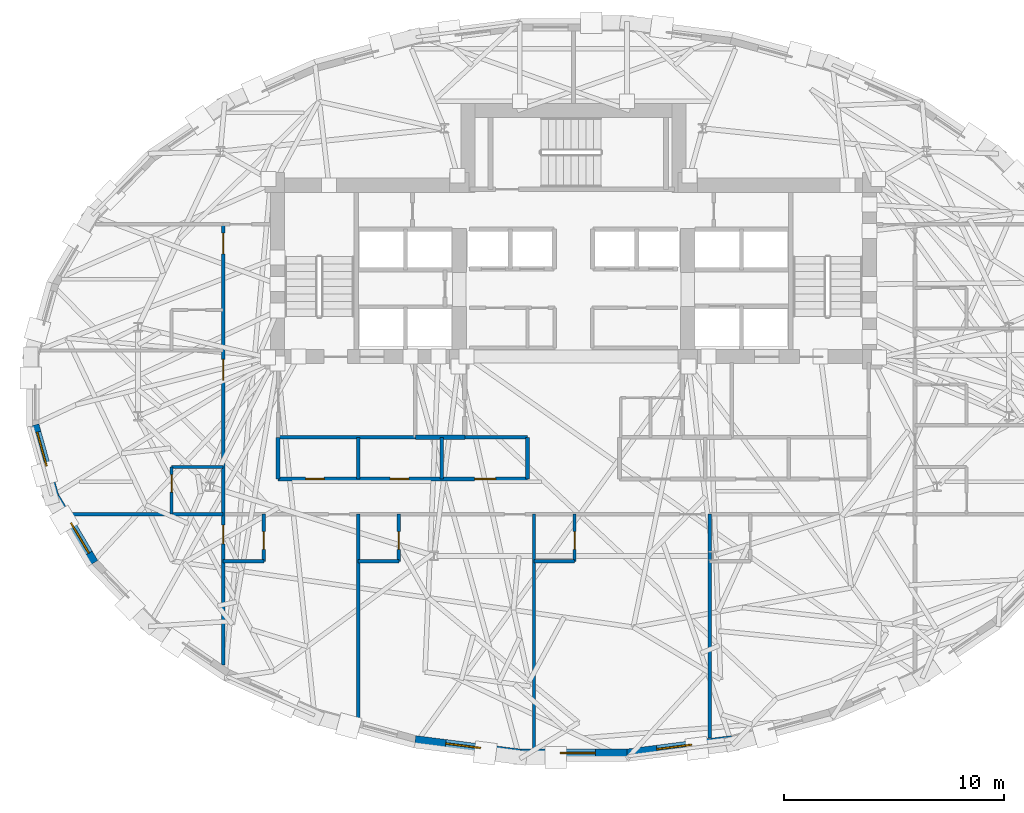
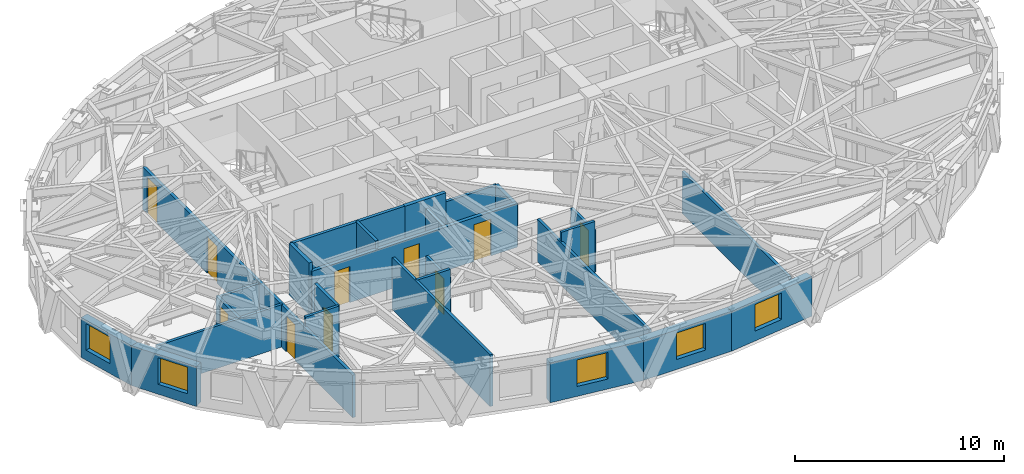
# One storey, part 6 of 15: 26 walls, 10 doors, 5 windows, 15 openings.
"""IFC4 building model written with IfcOpenShell, lengths in metres."""

from ifc_helpers import new_model, si_unit, direction, frame, frame_2d, origin, place, context, subcontext, project, spatial, rectangle, extrude, material, layer, layer_set, type_object, element, fill, save


model = new_model("IFC4")

# Units and contexts
model_context = context("Model", 3, precision=1e-05, world=origin(), true_north=direction((0.0, 1.0)))
body_context = subcontext(model_context, "Body", "Model", "MODEL_VIEW")
ifc_project = project(units=[si_unit("LENGTHUNIT", "METRE"), si_unit("AREAUNIT", "SQUARE_METRE"), si_unit("VOLUMEUNIT", "CUBIC_METRE"), si_unit("PLANEANGLEUNIT", "RADIAN"), si_unit("MASSUNIT", "GRAM", prefix="KILO")], contexts=[model_context])

# Site, building, storey
site_placement = place(None, origin())
site = spatial("IfcSite", under=ifc_project, at=site_placement, CompositionType="ELEMENT")
building_placement = place(site_placement, origin())
building = spatial("IfcBuilding", under=site, at=building_placement, Name="Keldmark Tower", CompositionType="ELEMENT")
storey_placement = place(building_placement, frame((0.0, 0.0, 166.199951171875)))
storey = spatial("IfcBuildingStorey", under=building, at=storey_placement, Name="L45", CompositionType="ELEMENT", Elevation=166.199951171875)

# Wall, openings, doors
ifc_material_1 = material(Name="Heavy Acoustic Plumbing Chase Gypsum Assembly", Category="gypsum")
ifc_layer_1 = layer(ifc_material_1, 0.18994140625)
ifc_layer_set_1 = layer_set([ifc_layer_1], Name="Heavy Acoustic Plumbing Chase Gypsum Assembly")
wall_type_1 = type_object("IfcWallType", Name="Heavy Wet Wall 190 mm", PredefinedType="PLUMBINGWALL", material=ifc_layer_set_1)
wall_1_placement = place(storey_placement, frame((-13.449951171875, -4.050048828125, 0.0), z_axis=(0.0, 0.0, 1.0), x_axis=(1.0, 0.0, 0.0)))
wall_1 = element("IfcWall", 1, at=wall_1_placement, inside=storey, type_object=wall_type_1, Name="L45 Heavy Wet Wall 190 mm SPK-W-S", PredefinedType="PLUMBINGWALL", context=body_context, shape_type="SweptSolid", body=[
    extrude(rectangle(XDim=11.349853515625, YDim=0.18994140625, at=frame_2d((5.6748046875, 0.0))), origin(), (0.0, 0.0, 1.0), 2.554931640625),
])
opening_1_placement = place(wall_1_placement, frame((1.25, 0.0, 0.0)))
opening_1 = element("IfcOpeningElement", 2, at=opening_1_placement, cuts=wall_1, Name="Opening D-WC085", PredefinedType="OPENING", context=body_context, shape_type="SweptSolid", body=[
    extrude(rectangle(XDim=0.85009765625, YDim=2.10009765625, at=frame_2d((0.425048828125, 1.050048828125))), frame((0.0, 0.10498046875, 0.0), z_axis=(0.0, -1.0, 0.0), x_axis=(1.0, 0.0, 0.0)), (0.0, 0.0, 1.0), 0.2099609375),
])
opening_2_placement = place(wall_1_placement, frame((5.10009765625, 0.0, 0.0)))
opening_2 = element("IfcOpeningElement", 3, at=opening_2_placement, cuts=wall_1, Name="Opening D-WC085", PredefinedType="OPENING", context=body_context, shape_type="SweptSolid", body=[
    extrude(rectangle(XDim=0.85009765625, YDim=2.10009765625, at=frame_2d((0.425048828125, 1.050048828125))), frame((0.0, 0.10498046875, 0.0), z_axis=(0.0, -1.0, 0.0), x_axis=(1.0, 0.0, 0.0)), (0.0, 0.0, 1.0), 0.2099609375),
])
opening_3_placement = place(wall_1_placement, frame((8.949951171875, 0.0, 0.0)))
opening_3 = element("IfcOpeningElement", 4, at=opening_3_placement, cuts=wall_1, Name="Opening D-AWC95", PredefinedType="OPENING", context=body_context, shape_type="SweptSolid", body=[
    extrude(rectangle(XDim=0.949951171875, YDim=2.14990234375, at=frame_2d((0.47509765625, 1.074951171875))), frame((0.0, 0.10498046875, 0.0), z_axis=(0.0, -1.0, 0.0), x_axis=(1.0, 0.0, 0.0)), (0.0, 0.0, 1.0), 0.2099609375),
])
ifc_material_2 = material(Name="Painted Solid-Core Architectural Wood", Category="wood")
door_type_1 = type_object("IfcDoorType", Name="Accessible WC Door 950x2150", OperationType="NOTDEFINED", PredefinedType="DOOR", material=ifc_material_2)
door_1_placement = place(opening_3_placement, origin())
door_1 = element("IfcDoor", 5, at=door_1_placement, inside=storey, type_object=door_type_1, Name="L45 Accessible WC Door 950x2150 D-SPKW3-L45", OperationType="SINGLE_SWING_LEFT", OverallHeight=2.14990234375, OverallWidth=0.949951171875, PredefinedType="DOOR", context=body_context, shape_type="SweptSolid", body=[
    extrude(rectangle(XDim=0.949951171875, YDim=2.14990234375, at=frame_2d((0.47509765625, 1.074951171875))), frame((0.0, 0.02490234375, 0.0), z_axis=(0.0, -1.0, 0.0), x_axis=(1.0, 0.0, 0.0)), (0.0, 0.0, 1.0), 0.050048828125),
])
fill(opening_3, door_1)
ifc_material_3 = material(Name="Moisture-Sealed Painted Wood", Category="wood")
door_type_2 = type_object("IfcDoorType", Name="WC Door 850x2100", OperationType="NOTDEFINED", PredefinedType="DOOR", material=ifc_material_3)
door_2_placement = place(opening_1_placement, origin())
door_2 = element("IfcDoor", 6, at=door_2_placement, inside=storey, type_object=door_type_2, Name="L45 WC Door 850x2100 D-SPKW1-L45", OperationType="SINGLE_SWING_LEFT", OverallHeight=2.10009765625, OverallWidth=0.85009765625, PredefinedType="DOOR", context=body_context, shape_type="SweptSolid", body=[
    extrude(rectangle(XDim=0.85009765625, YDim=2.10009765625, at=frame_2d((0.425048828125, 1.050048828125))), frame((0.0, 0.02490234375, 0.0), z_axis=(0.0, -1.0, 0.0), x_axis=(1.0, 0.0, 0.0)), (0.0, 0.0, 1.0), 0.050048828125),
])
fill(opening_1, door_2)
door_3_placement = place(opening_2_placement, origin())
door_3 = element("IfcDoor", 7, at=door_3_placement, inside=storey, type_object=door_type_2, Name="L45 WC Door 850x2100 D-SPKW2-L45", OperationType="SINGLE_SWING_RIGHT", OverallHeight=2.10009765625, OverallWidth=0.85009765625, PredefinedType="DOOR", context=body_context, shape_type="SweptSolid", body=[
    extrude(rectangle(XDim=0.85009765625, YDim=2.10009765625, at=frame_2d((0.425048828125, 1.050048828125))), frame((0.0, 0.02490234375, 0.0), z_axis=(0.0, -1.0, 0.0), x_axis=(1.0, 0.0, 0.0)), (0.0, 0.0, 1.0), 0.050048828125),
])
fill(opening_2, door_3)

# Walls
wall_2_placement = place(storey_placement, frame((-13.449951171875, -4.050048828125, 0.0), z_axis=(0.0, 0.0, 1.0), x_axis=(0.0, 1.0, 0.0)))
element("IfcWall", 8, at=wall_2_placement, inside=storey, type_object=wall_type_1, Name="L45 Heavy Wet Wall 190 mm SPK-W-W", PredefinedType="PLUMBINGWALL", context=body_context, shape_type="SweptSolid", body=[
    extrude(rectangle(XDim=1.900146484375, YDim=0.18994140625, at=frame_2d((0.9501953125, 0.0))), origin(), (0.0, 0.0, 1.0), 3.02001953125),
])
wall_3_placement = place(storey_placement, frame((-2.10009765625, -4.050048828125, 0.0), z_axis=(0.0, 0.0, 1.0), x_axis=(0.0, 1.0, 0.0)))
element("IfcWall", 9, at=wall_3_placement, inside=storey, type_object=wall_type_1, Name="L45 Heavy Wet Wall 190 mm SPK-W-E", PredefinedType="PLUMBINGWALL", context=body_context, shape_type="SweptSolid", body=[
    extrude(rectangle(XDim=1.900146484375, YDim=0.18994140625, at=frame_2d((0.9501953125, 0.0))), origin(), (0.0, 0.0, 1.0), 2.47314453125),
])
ifc_material_4 = material(Name="Type X Fire-Rated Gypsum Partition Assembly", Category="gypsum")
ifc_layer_2 = layer(ifc_material_4, 0.1650390625)
ifc_layer_set_2 = layer_set([ifc_layer_2], Name="Type X Fire-Rated Gypsum Partition Assembly")
wall_type_2 = type_object("IfcWallType", Name="Rated Partition 165 mm", PredefinedType="PARTITIONING", material=ifc_layer_set_2)
wall_4_placement = place(storey_placement, frame((-13.449951171875, -2.14990234375, 0.0), z_axis=(0.0, 0.0, 1.0), x_axis=(1.0, 0.0, 0.0)))
element("IfcWall", 10, at=wall_4_placement, inside=storey, type_object=wall_type_2, Name="L45 Rated Partition 165 mm FSAE-W-S", PredefinedType="PARTITIONING", context=body_context, shape_type="SweptSolid", body=[
    extrude(rectangle(XDim=6.25, YDim=0.1650390625, at=frame_2d((3.125, 0.0))), origin(), (0.0, 0.0, 1.0), 3.02001953125),
])

# Wall, openings, doors
wall_5_placement = place(storey_placement, frame((-15.949951171875, -12.528076171875, 0.0), z_axis=(0.0, 0.0, 1.0), x_axis=(0.0, 1.0, 0.0)))
wall_5 = element("IfcWall", 11, at=wall_5_placement, inside=storey, type_object=wall_type_2, Name="L45 Rated Partition 165 mm HCOR-W", PredefinedType="PARTITIONING", context=body_context, shape_type="SweptSolid", body=[
    extrude(rectangle(XDim=20.078125, YDim=0.1650390625, at=frame_2d((10.0390625, 0.0))), origin(), (0.0, 0.0, 1.0), 2.47314453125),
])
opening_4_placement = place(wall_5_placement, frame((5.527587890625, 0.0, 0.0)))
opening_4 = element("IfcOpeningElement", 12, at=opening_4_placement, cuts=wall_5, Name="Opening D-IN085", PredefinedType="OPENING", context=body_context, shape_type="SweptSolid", body=[
    extrude(rectangle(XDim=0.85009765625, YDim=2.10009765625, at=frame_2d((0.425048828125, 1.050048828125))), frame((0.0, 0.092529296875, 0.0), z_axis=(0.0, -1.0, 0.0), x_axis=(1.0, 0.0, 0.0)), (0.0, 0.0, 1.0), 0.18505859375),
])
opening_5_placement = place(wall_5_placement, frame((12.977783203125, 0.0, 0.0)))
opening_5 = element("IfcOpeningElement", 13, at=opening_5_placement, cuts=wall_5, Name="Opening D-HT095", PredefinedType="OPENING", context=body_context, shape_type="SweptSolid", body=[
    extrude(rectangle(XDim=0.949951171875, YDim=2.14990234375, at=frame_2d((0.47509765625, 1.074951171875))), frame((0.0, 0.092529296875, 0.0), z_axis=(0.0, -1.0, 0.0), x_axis=(1.0, 0.0, 0.0)), (0.0, 0.0, 1.0), 0.18505859375),
])
opening_6_placement = place(wall_5_placement, frame((18.727783203125, 0.0, 0.0)))
opening_6 = element("IfcOpeningElement", 14, at=opening_6_placement, cuts=wall_5, Name="Opening D-HT095", PredefinedType="OPENING", context=body_context, shape_type="SweptSolid", body=[
    extrude(rectangle(XDim=0.949951171875, YDim=2.14990234375, at=frame_2d((0.47509765625, 1.074951171875))), frame((0.0, 0.092529296875, 0.0), z_axis=(0.0, -1.0, 0.0), x_axis=(1.0, 0.0, 0.0)), (0.0, 0.0, 1.0), 0.18505859375),
])
ifc_material_5 = material(Name="Solid-Core Acoustic White Oak Fire-Rated Assembly", Category="wood")
door_type_3 = type_object("IfcDoorType", Name="Hotel Entry Door 950x2150", OperationType="NOTDEFINED", PredefinedType="DOOR", material=ifc_material_5)
door_4_placement = place(opening_5_placement, origin())
door_4 = element("IfcDoor", 15, at=door_4_placement, inside=storey, type_object=door_type_3, Name="L45 Hotel Entry Door 950x2150 D-HR-5-L45", OperationType="SINGLE_SWING_RIGHT", OverallHeight=2.14990234375, OverallWidth=0.949951171875, PredefinedType="DOOR", context=body_context, shape_type="SweptSolid", body=[
    extrude(rectangle(XDim=0.949951171875, YDim=2.14990234375, at=frame_2d((0.47509765625, 1.074951171875))), frame((0.0, 0.02490234375, 0.0), z_axis=(0.0, -1.0, 0.0), x_axis=(1.0, 0.0, 0.0)), (0.0, 0.0, 1.0), 0.050048828125),
])
fill(opening_5, door_4)
door_5_placement = place(opening_6_placement, origin())
door_5 = element("IfcDoor", 16, at=door_5_placement, inside=storey, type_object=door_type_3, Name="L45 Hotel Entry Door 950x2150 D-HR-6-L45", OperationType="SINGLE_SWING_RIGHT", OverallHeight=2.14990234375, OverallWidth=0.949951171875, PredefinedType="DOOR", context=body_context, shape_type="SweptSolid", body=[
    extrude(rectangle(XDim=0.949951171875, YDim=2.14990234375, at=frame_2d((0.47509765625, 1.074951171875))), frame((0.0, 0.02490234375, 0.0), z_axis=(0.0, -1.0, 0.0), x_axis=(1.0, 0.0, 0.0)), (0.0, 0.0, 1.0), 0.050048828125),
])
fill(opening_6, door_5)
ifc_material_6 = material(Name="Painted Architectural Wood", Category="wood")
door_type_4 = type_object("IfcDoorType", Name="Interior Door 850x2100", OperationType="NOTDEFINED", PredefinedType="DOOR", material=ifc_material_6)
door_6_placement = place(opening_4_placement, origin())
door_6 = element("IfcDoor", 17, at=door_6_placement, inside=storey, type_object=door_type_4, Name="L45 Interior Door 850x2100 D-HKSW-L45", OperationType="SINGLE_SWING_LEFT", OverallHeight=2.10009765625, OverallWidth=0.85009765625, PredefinedType="DOOR", context=body_context, shape_type="SweptSolid", body=[
    extrude(rectangle(XDim=0.85009765625, YDim=2.10009765625, at=frame_2d((0.425048828125, 1.050048828125))), frame((0.0, 0.02490234375, 0.0), z_axis=(0.0, -1.0, 0.0), x_axis=(1.0, 0.0, 0.0)), (0.0, 0.0, 1.0), 0.050048828125),
])
fill(opening_4, door_6)

# Wall
ifc_material_7 = material(Name="Fire-Resistant Type X Gypsum Shaftliner Coreboard", Category="gypsum")
ifc_layer_3 = layer(ifc_material_7, 0.199951171875)
ifc_layer_set_3 = layer_set([ifc_layer_3], Name="Fire-Resistant Type X Gypsum Shaftliner Coreboard")
wall_type_3 = type_object("IfcWallType", Name="Shaft Wall 200 mm", PredefinedType="SOLIDWALL", material=ifc_layer_set_3)
wall_6_placement = place(storey_placement, frame((-7.199951171875, -2.14990234375, 0.0), z_axis=(0.0, 0.0, 1.0), x_axis=(1.0, 0.0, 0.0)))
element("IfcWall", 18, at=wall_6_placement, inside=storey, type_object=wall_type_3, Name="L45 Shaft Wall 200 mm RIS-SW-S", PredefinedType="SOLIDWALL", context=body_context, shape_type="SweptSolid", body=[
    extrude(rectangle(XDim=2.25, YDim=0.199951171875, at=frame_2d((1.125, 0.0))), origin(), (0.0, 0.0, 1.0), 3.02001953125),
])

# Wall, opening, window
ifc_material_8 = material(Name="Ironspot Manganese Brick and Kasota Buff Limestone Spandrel Assembly", Category="masonry")
ifc_layer_4 = layer(ifc_material_8, 0.43994140625)
ifc_layer_set_4 = layer_set([ifc_layer_4], Name="Ironspot Manganese Brick and Kasota Buff Limestone Spandrel Assembly")
wall_type_4 = type_object("IfcWallType", Name="Tower Brick Pier and Spandrel Wall 440 mm", PredefinedType="STANDARD", material=ifc_layer_set_4)
wall_7_placement = place(storey_placement, frame((-23.64501953125, -4.846435546875, 0.0), z_axis=(0.0, 0.0, 1.0), x_axis=(-0.269235699479, 0.963074315993, 0.0)))
wall_7 = element("IfcWall", 19, at=wall_7_placement, inside=storey, type_object=wall_type_4, Name="L45 Exterior Brick and Spandrel Wall 17", PredefinedType="STANDARD", context=body_context, shape_type="SweptSolid", body=[
    extrude(rectangle(XDim=3.376953125, YDim=0.43994140625, at=frame_2d((1.6884765625, 0.0))), origin(), (0.0, 0.0, 1.0), 2.31494140625),
])
opening_7_placement = place(wall_7_placement, frame((1.429443359375, 0.0, 0.580078125)))
opening_7 = element("IfcOpeningElement", 20, at=opening_7_placement, cuts=wall_7, Name="Opening W-04", PredefinedType="OPENING", context=body_context, shape_type="SweptSolid", body=[
    extrude(rectangle(XDim=1.60009765625, YDim=1.550048828125, at=frame_2d((0.800048828125, 0.77490234375))), frame((0.0, 0.22998046875, 0.0), z_axis=(0.0, -1.0, 0.0), x_axis=(1.0, 0.0, 0.0)), (0.0, 0.0, 1.0), 0.4599609375),
])
ifc_material_9 = material(Name="Thermally Broken Anodized Aluminum and Triple Low-E Argon Glazing", Category="aluminium")
window_type = type_object("IfcWindowType", Name="Hotel Deep-Set Operable Window 1600x1550", PartitioningType="DOUBLE_PANEL_HORIZONTAL", PredefinedType="WINDOW", material=ifc_material_9)
window_1_placement = place(opening_7_placement, origin())
window_1 = element("IfcWindow", 21, at=window_1_placement, inside=storey, type_object=window_type, Name="L45 Deep-Set Window 17", OverallHeight=1.550048828125, OverallWidth=1.60009765625, PartitioningType="SINGLE_PANEL", PredefinedType="WINDOW", context=body_context, shape_type="SweptSolid", body=[
    extrude(rectangle(XDim=1.60009765625, YDim=1.550048828125, at=frame_2d((0.800048828125, 0.77490234375))), frame((0.0, -0.010009765625, 0.0), z_axis=(0.0, -1.0, 0.0), x_axis=(1.0, 0.0, 0.0)), (0.0, 0.0, 1.0), 0.06005859375),
])
fill(opening_7, window_1)

wall_8_placement = place(storey_placement, frame((-21.847412109375, -7.87255859375, 0.0), z_axis=(0.0, 0.0, 1.0), x_axis=(-0.508883387051, 0.860835465338, 0.0)))
wall_8 = element("IfcWall", 22, at=wall_8_placement, inside=storey, type_object=wall_type_4, Name="L45 Exterior Brick and Spandrel Wall 18", PredefinedType="STANDARD", context=body_context, shape_type="SweptSolid", body=[
    extrude(rectangle(XDim=3.57666015625, YDim=0.43994140625, at=frame_2d((1.788330078125, 0.0))), origin(), (0.0, 0.0, 1.0), 2.31494140625),
])
opening_8_placement = place(wall_8_placement, frame((0.49560546875, 0.0, 0.580078125)))
opening_8 = element("IfcOpeningElement", 23, at=opening_8_placement, cuts=wall_8, Name="Opening W-04", PredefinedType="OPENING", context=body_context, shape_type="SweptSolid", body=[
    extrude(rectangle(XDim=1.60009765625, YDim=1.550048828125, at=frame_2d((0.800048828125, 0.77490234375))), frame((0.0, 0.22998046875, 0.0), z_axis=(0.0, -1.0, 0.0), x_axis=(1.0, 0.0, 0.0)), (0.0, 0.0, 1.0), 0.4599609375),
])
window_2_placement = place(opening_8_placement, origin())
window_2 = element("IfcWindow", 24, at=window_2_placement, inside=storey, type_object=window_type, Name="L45 Deep-Set Window 18", OverallHeight=1.550048828125, OverallWidth=1.60009765625, PartitioningType="SINGLE_PANEL", PredefinedType="WINDOW", context=body_context, shape_type="SweptSolid", body=[
    extrude(rectangle(XDim=1.60009765625, YDim=1.550048828125, at=frame_2d((0.800048828125, 0.77490234375))), frame((0.0, -0.010009765625, 0.0), z_axis=(0.0, -1.0, 0.0), x_axis=(1.0, 0.0, 0.0)), (0.0, 0.0, 1.0), 0.06005859375),
])
fill(opening_8, window_2)

wall_9_placement = place(storey_placement, frame((-2.4111328125, -16.56982421875, 0.0), z_axis=(0.0, 0.0, 1.0), x_axis=(-0.991852910824, 0.127388395426, 0.0)))
wall_9 = element("IfcWall", 25, at=wall_9_placement, inside=storey, type_object=wall_type_4, Name="L45 Exterior Brick and Spandrel Wall 23", PredefinedType="STANDARD", context=body_context, shape_type="SweptSolid", body=[
    extrude(rectangle(XDim=4.837158203125, YDim=0.43994140625, at=frame_2d((2.41845703125, 0.0))), origin(), (0.0, 0.0, 1.0), 2.31494140625),
])
opening_9_placement = place(wall_9_placement, frame((1.842529296875, 0.0, 0.580078125)))
opening_9 = element("IfcOpeningElement", 26, at=opening_9_placement, cuts=wall_9, Name="Opening W-04", PredefinedType="OPENING", context=body_context, shape_type="SweptSolid", body=[
    extrude(rectangle(XDim=1.60009765625, YDim=1.550048828125, at=frame_2d((0.800048828125, 0.77490234375))), frame((0.0, 0.22998046875, 0.0), z_axis=(0.0, -1.0, 0.0), x_axis=(1.0, 0.0, 0.0)), (0.0, 0.0, 1.0), 0.4599609375),
])
window_3_placement = place(opening_9_placement, origin())
window_3 = element("IfcWindow", 27, at=window_3_placement, inside=storey, type_object=window_type, Name="L45 Deep-Set Window 23", OverallHeight=1.550048828125, OverallWidth=1.60009765625, PartitioningType="SINGLE_PANEL", PredefinedType="WINDOW", context=body_context, shape_type="SweptSolid", body=[
    extrude(rectangle(XDim=1.60009765625, YDim=1.550048828125, at=frame_2d((0.800048828125, 0.77490234375))), frame((0.0, -0.010009765625, 0.0), z_axis=(0.0, -1.0, 0.0), x_axis=(1.0, 0.0, 0.0)), (0.0, 0.0, 1.0), 0.06005859375),
])
fill(opening_9, window_3)

wall_10_placement = place(storey_placement, frame((2.439208984375, -16.568115234375, 0.0), z_axis=(0.0, 0.0, 1.0), x_axis=(-1.0, 0.0, 0.0)))
wall_10 = element("IfcWall", 28, at=wall_10_placement, inside=storey, type_object=wall_type_4, Name="L45 Exterior Brick and Spandrel Wall 24", PredefinedType="STANDARD", context=body_context, shape_type="SweptSolid", body=[
    extrude(rectangle(XDim=4.87841796875, YDim=0.43994140625, at=frame_2d((2.439208984375, 0.0))), origin(), (0.0, 0.0, 1.0), 2.31494140625),
])
opening_10_placement = place(wall_10_placement, frame((1.440673828125, 0.0, 0.580078125)))
opening_10 = element("IfcOpeningElement", 29, at=opening_10_placement, cuts=wall_10, Name="Opening W-04", PredefinedType="OPENING", context=body_context, shape_type="SweptSolid", body=[
    extrude(rectangle(XDim=1.60009765625, YDim=1.550048828125, at=frame_2d((0.800048828125, 0.77490234375))), frame((0.0, 0.22998046875, 0.0), z_axis=(0.0, -1.0, 0.0), x_axis=(1.0, 0.0, 0.0)), (0.0, 0.0, 1.0), 0.4599609375),
])
window_4_placement = place(opening_10_placement, origin())
window_4 = element("IfcWindow", 30, at=window_4_placement, inside=storey, type_object=window_type, Name="L45 Deep-Set Window 24", OverallHeight=1.550048828125, OverallWidth=1.60009765625, PartitioningType="SINGLE_PANEL", PredefinedType="WINDOW", context=body_context, shape_type="SweptSolid", body=[
    extrude(rectangle(XDim=1.60009765625, YDim=1.550048828125, at=frame_2d((0.800048828125, 0.77490234375))), frame((0.0, -0.010009765625, 0.0), z_axis=(0.0, -1.0, 0.0), x_axis=(1.0, 0.0, 0.0)), (0.0, 0.0, 1.0), 0.06005859375),
])
fill(opening_10, window_4)

wall_11_placement = place(storey_placement, frame((7.208984375, -15.95361328125, 0.0), z_axis=(0.0, 0.0, 1.0), x_axis=(-0.991852910824, -0.127388395426, 0.0)))
wall_11 = element("IfcWall", 31, at=wall_11_placement, inside=storey, type_object=wall_type_4, Name="L45 Exterior Brick and Spandrel Wall 25", PredefinedType="STANDARD", context=body_context, shape_type="SweptSolid", body=[
    extrude(rectangle(XDim=4.837158203125, YDim=0.43994140625, at=frame_2d((2.41845703125, 0.0))), origin(), (0.0, 0.0, 1.0), 2.31494140625),
])
opening_11_placement = place(wall_11_placement, frame((1.842529296875, 0.0, 0.580078125)))
opening_11 = element("IfcOpeningElement", 32, at=opening_11_placement, cuts=wall_11, Name="Opening W-04", PredefinedType="OPENING", context=body_context, shape_type="SweptSolid", body=[
    extrude(rectangle(XDim=1.60009765625, YDim=1.550048828125, at=frame_2d((0.800048828125, 0.77490234375))), frame((0.0, 0.22998046875, 0.0), z_axis=(0.0, -1.0, 0.0), x_axis=(1.0, 0.0, 0.0)), (0.0, 0.0, 1.0), 0.4599609375),
])
window_5_placement = place(opening_11_placement, origin())
window_5 = element("IfcWindow", 33, at=window_5_placement, inside=storey, type_object=window_type, Name="L45 Deep-Set Window 25", OverallHeight=1.550048828125, OverallWidth=1.60009765625, PartitioningType="SINGLE_PANEL", PredefinedType="WINDOW", context=body_context, shape_type="SweptSolid", body=[
    extrude(rectangle(XDim=1.60009765625, YDim=1.550048828125, at=frame_2d((0.800048828125, 0.77490234375))), frame((0.0, -0.010009765625, 0.0), z_axis=(0.0, -1.0, 0.0), x_axis=(1.0, 0.0, 0.0)), (0.0, 0.0, 1.0), 0.06005859375),
])
fill(opening_11, window_5)

# Walls
ifc_material_10 = material(Name="Moisture-Resistant Gypsum Plumbing Partition", Category="gypsum")
ifc_layer_5 = layer(ifc_material_10, 0.14990234375)
ifc_layer_set_5 = layer_set([ifc_layer_5], Name="Moisture-Resistant Gypsum Plumbing Partition")
wall_type_5 = type_object("IfcWallType", Name="Wet Wall 150 mm", PredefinedType="PLUMBINGWALL", material=ifc_layer_set_5)
wall_12_placement = place(storey_placement, frame((-4.949951171875, -2.14990234375, 0.0), z_axis=(0.0, 0.0, 1.0), x_axis=(1.0, 0.0, 0.0)))
element("IfcWall", 34, at=wall_12_placement, inside=storey, type_object=wall_type_5, Name="L45 Wet Wall 150 mm SPK-W-N", PredefinedType="PLUMBINGWALL", context=body_context, shape_type="SweptSolid", body=[
    extrude(rectangle(XDim=2.849853515625, YDim=0.14990234375, at=frame_2d((1.4248046875, 0.0))), origin(), (0.0, 0.0, 1.0), 2.47314453125),
])
wall_13_placement = place(storey_placement, frame((-9.800048828125, -4.050048828125, 0.0), z_axis=(0.0, 0.0, 1.0), x_axis=(0.0, 1.0, 0.0)))
element("IfcWall", 35, at=wall_13_placement, inside=storey, type_object=wall_type_5, Name="L45 Wet Wall 150 mm SPK-W-D1", PredefinedType="PLUMBINGWALL", context=body_context, shape_type="SweptSolid", body=[
    extrude(rectangle(XDim=1.900146484375, YDim=0.14990234375, at=frame_2d((0.9501953125, 0.0))), origin(), (0.0, 0.0, 1.0), 3.02001953125),
])
wall_14_placement = place(storey_placement, frame((-6.0, -4.050048828125, 0.0), z_axis=(0.0, 0.0, 1.0), x_axis=(0.0, 1.0, 0.0)))
element("IfcWall", 36, at=wall_14_placement, inside=storey, type_object=wall_type_5, Name="L45 Wet Wall 150 mm SPK-W-D2", PredefinedType="PLUMBINGWALL", context=body_context, shape_type="SweptSolid", body=[
    extrude(rectangle(XDim=1.900146484375, YDim=0.14990234375, at=frame_2d((0.9501953125, 0.0))), origin(), (0.0, 0.0, 1.0), 2.47314453125),
])
wall_15_placement = place(storey_placement, frame((-22.896484375, -5.64990234375, 0.0), z_axis=(0.0, 0.0, 1.0), x_axis=(1.0, 0.0, 0.0)))
element("IfcWall", 37, at=wall_15_placement, inside=storey, type_object=wall_type_5, Name="L45 Wet Wall 150 mm HW-CAP-S", PredefinedType="PLUMBINGWALL", context=body_context, shape_type="SweptSolid", body=[
    extrude(rectangle(XDim=6.946533203125, YDim=0.14990234375, at=frame_2d((3.47314453125, 0.0))), origin(), (0.0, 0.0, 1.0), 2.47314453125),
])
wall_16_placement = place(storey_placement, frame((-9.800048828125, -15.011474609375, 0.0), z_axis=(0.0, 0.0, 1.0), x_axis=(0.0, 1.0, 0.0)))
element("IfcWall", 38, at=wall_16_placement, inside=storey, type_object=wall_type_5, Name="L45 Wet Wall 150 mm HS-DIV-1", PredefinedType="PLUMBINGWALL", context=body_context, shape_type="SweptSolid", body=[
    extrude(rectangle(XDim=9.361572265625, YDim=0.14990234375, at=frame_2d((4.6806640625, 0.0))), origin(), (0.0, 0.0, 1.0), 3.02001953125),
])
wall_17_placement = place(storey_placement, frame((-1.800048828125, -16.340087890625, 0.0), z_axis=(0.0, 0.0, 1.0), x_axis=(0.0, 1.0, 0.0)))
element("IfcWall", 39, at=wall_17_placement, inside=storey, type_object=wall_type_5, Name="L45 Wet Wall 150 mm HS-DIV-2", PredefinedType="PLUMBINGWALL", context=body_context, shape_type="SweptSolid", body=[
    extrude(rectangle(XDim=10.690185546875, YDim=0.14990234375, at=frame_2d((5.34521484375, 0.0))), origin(), (0.0, 0.0, 1.0), 2.47314453125),
])
wall_18_placement = place(storey_placement, frame((6.199951171875, -15.853271484375, 0.0), z_axis=(0.0, 0.0, 1.0), x_axis=(0.0, 1.0, 0.0)))
element("IfcWall", 40, at=wall_18_placement, inside=storey, type_object=wall_type_5, Name="L45 Wet Wall 150 mm HS-DIV-3", PredefinedType="PLUMBINGWALL", context=body_context, shape_type="SweptSolid", body=[
    extrude(rectangle(XDim=10.203369140625, YDim=0.14990234375, at=frame_2d((5.1015625, 0.0))), origin(), (0.0, 0.0, 1.0), 2.47314453125),
])

# Wall, opening, door
wall_19_placement = place(storey_placement, frame((-14.10009765625, -7.800048828125, 0.0), z_axis=(0.0, 0.0, 1.0), x_axis=(0.0, 1.0, 0.0)))
wall_19 = element("IfcWall", 41, at=wall_19_placement, inside=storey, type_object=wall_type_5, Name="L45 Wet Wall 150 mm HB-S1-E", PredefinedType="PLUMBINGWALL", context=body_context, shape_type="SweptSolid", body=[
    extrude(rectangle(XDim=2.150146484375, YDim=0.14990234375, at=frame_2d((1.0751953125, 0.0))), origin(), (0.0, 0.0, 1.0), 3.02001953125),
])
opening_12_placement = place(wall_19_placement, frame((0.550048828125, 0.0, 0.0)))
opening_12 = element("IfcOpeningElement", 42, at=opening_12_placement, cuts=wall_19, Name="Opening D-BT080", PredefinedType="OPENING", context=body_context, shape_type="SweptSolid", body=[
    extrude(rectangle(XDim=0.800048828125, YDim=2.10009765625, at=frame_2d((0.39990234375, 1.050048828125))), frame((0.0, 0.0849609375, 0.0), z_axis=(0.0, -1.0, 0.0), x_axis=(1.0, 0.0, 0.0)), (0.0, 0.0, 1.0), 0.169921875),
])
ifc_material_11 = material(Name="Moisture-Sealed Stained Wood", Category="wood")
door_type_5 = type_object("IfcDoorType", Name="Bathroom Door 800x2100", OperationType="NOTDEFINED", PredefinedType="DOOR", material=ifc_material_11)
door_7_placement = place(opening_12_placement, origin())
door_7 = element("IfcDoor", 43, at=door_7_placement, inside=storey, type_object=door_type_5, Name="L45 Bathroom Door 800x2100 D-HBS1-L45", OperationType="SINGLE_SWING_RIGHT", OverallHeight=2.10009765625, OverallWidth=0.800048828125, PredefinedType="DOOR", context=body_context, shape_type="SweptSolid", body=[
    extrude(rectangle(XDim=0.800048828125, YDim=2.10009765625, at=frame_2d((0.39990234375, 1.050048828125))), frame((0.0, 0.02490234375, 0.0), z_axis=(0.0, -1.0, 0.0), x_axis=(1.0, 0.0, 0.0)), (0.0, 0.0, 1.0), 0.050048828125),
])
fill(opening_12, door_7)

# Wall
wall_20_placement = place(storey_placement, frame((-15.949951171875, -7.800048828125, 0.0), z_axis=(0.0, 0.0, 1.0), x_axis=(1.0, 0.0, 0.0)))
element("IfcWall", 44, at=wall_20_placement, inside=storey, type_object=wall_type_5, Name="L45 Wet Wall 150 mm HB-S1-S", PredefinedType="PLUMBINGWALL", context=body_context, shape_type="SweptSolid", body=[
    extrude(rectangle(XDim=1.849853515625, YDim=0.14990234375, at=frame_2d((0.9248046875, 0.0))), origin(), (0.0, 0.0, 1.0), 3.02001953125),
])

# Wall, opening, door
wall_21_placement = place(storey_placement, frame((-7.949951171875, -7.800048828125, 0.0), z_axis=(0.0, 0.0, 1.0), x_axis=(0.0, 1.0, 0.0)))
wall_21 = element("IfcWall", 45, at=wall_21_placement, inside=storey, type_object=wall_type_5, Name="L45 Wet Wall 150 mm HB-S2-E", PredefinedType="PLUMBINGWALL", context=body_context, shape_type="SweptSolid", body=[
    extrude(rectangle(XDim=2.150146484375, YDim=0.14990234375, at=frame_2d((1.0751953125, 0.0))), origin(), (0.0, 0.0, 1.0), 2.47314453125),
])
opening_13_placement = place(wall_21_placement, frame((0.550048828125, 0.0, 0.0)))
opening_13 = element("IfcOpeningElement", 46, at=opening_13_placement, cuts=wall_21, Name="Opening D-BT080", PredefinedType="OPENING", context=body_context, shape_type="SweptSolid", body=[
    extrude(rectangle(XDim=0.800048828125, YDim=2.10009765625, at=frame_2d((0.39990234375, 1.050048828125))), frame((0.0, 0.0849609375, 0.0), z_axis=(0.0, -1.0, 0.0), x_axis=(1.0, 0.0, 0.0)), (0.0, 0.0, 1.0), 0.169921875),
])
door_8_placement = place(opening_13_placement, origin())
door_8 = element("IfcDoor", 47, at=door_8_placement, inside=storey, type_object=door_type_5, Name="L45 Bathroom Door 800x2100 D-HBS2-L45", OperationType="SINGLE_SWING_RIGHT", OverallHeight=2.10009765625, OverallWidth=0.800048828125, PredefinedType="DOOR", context=body_context, shape_type="SweptSolid", body=[
    extrude(rectangle(XDim=0.800048828125, YDim=2.10009765625, at=frame_2d((0.39990234375, 1.050048828125))), frame((0.0, 0.02490234375, 0.0), z_axis=(0.0, -1.0, 0.0), x_axis=(1.0, 0.0, 0.0)), (0.0, 0.0, 1.0), 0.050048828125),
])
fill(opening_13, door_8)

# Wall
wall_22_placement = place(storey_placement, frame((-9.800048828125, -7.800048828125, 0.0), z_axis=(0.0, 0.0, 1.0), x_axis=(1.0, 0.0, 0.0)))
element("IfcWall", 48, at=wall_22_placement, inside=storey, type_object=wall_type_5, Name="L45 Wet Wall 150 mm HB-S2-S", PredefinedType="PLUMBINGWALL", context=body_context, shape_type="SweptSolid", body=[
    extrude(rectangle(XDim=1.85009765625, YDim=0.14990234375, at=frame_2d((0.925048828125, 0.0))), origin(), (0.0, 0.0, 1.0), 3.02001953125),
])

# Wall, opening, door
wall_23_placement = place(storey_placement, frame((0.050048828125, -7.800048828125, 0.0), z_axis=(0.0, 0.0, 1.0), x_axis=(0.0, 1.0, 0.0)))
wall_23 = element("IfcWall", 49, at=wall_23_placement, inside=storey, type_object=wall_type_5, Name="L45 Wet Wall 150 mm HB-S3-E", PredefinedType="PLUMBINGWALL", context=body_context, shape_type="SweptSolid", body=[
    extrude(rectangle(XDim=2.150146484375, YDim=0.14990234375, at=frame_2d((1.0751953125, 0.0))), origin(), (0.0, 0.0, 1.0), 2.47314453125),
])
opening_14_placement = place(wall_23_placement, frame((0.550048828125, 0.0, 0.0)))
opening_14 = element("IfcOpeningElement", 50, at=opening_14_placement, cuts=wall_23, Name="Opening D-BT080", PredefinedType="OPENING", context=body_context, shape_type="SweptSolid", body=[
    extrude(rectangle(XDim=0.800048828125, YDim=2.10009765625, at=frame_2d((0.39990234375, 1.050048828125))), frame((0.0, 0.0849609375, 0.0), z_axis=(0.0, -1.0, 0.0), x_axis=(1.0, 0.0, 0.0)), (0.0, 0.0, 1.0), 0.169921875),
])
door_9_placement = place(opening_14_placement, origin())
door_9 = element("IfcDoor", 51, at=door_9_placement, inside=storey, type_object=door_type_5, Name="L45 Bathroom Door 800x2100 D-HBS3-L45", OperationType="SINGLE_SWING_RIGHT", OverallHeight=2.10009765625, OverallWidth=0.800048828125, PredefinedType="DOOR", context=body_context, shape_type="SweptSolid", body=[
    extrude(rectangle(XDim=0.800048828125, YDim=2.10009765625, at=frame_2d((0.39990234375, 1.050048828125))), frame((0.0, 0.02490234375, 0.0), z_axis=(0.0, -1.0, 0.0), x_axis=(1.0, 0.0, 0.0)), (0.0, 0.0, 1.0), 0.050048828125),
])
fill(opening_14, door_9)

# Walls
wall_24_placement = place(storey_placement, frame((-1.800048828125, -7.800048828125, 0.0), z_axis=(0.0, 0.0, 1.0), x_axis=(1.0, 0.0, 0.0)))
element("IfcWall", 52, at=wall_24_placement, inside=storey, type_object=wall_type_5, Name="L45 Wet Wall 150 mm HB-S3-S", PredefinedType="PLUMBINGWALL", context=body_context, shape_type="SweptSolid", body=[
    extrude(rectangle(XDim=1.85009765625, YDim=0.14990234375, at=frame_2d((0.925048828125, 0.0))), origin(), (0.0, 0.0, 1.0), 3.02001953125),
])
wall_25_placement = place(storey_placement, frame((-18.300048828125, -3.5, 0.0), z_axis=(0.0, 0.0, 1.0), x_axis=(1.0, 0.0, 0.0)))
element("IfcWall", 53, at=wall_25_placement, inside=storey, type_object=wall_type_5, Name="L45 Wet Wall 150 mm HB-5-N", PredefinedType="PLUMBINGWALL", context=body_context, shape_type="SweptSolid", body=[
    extrude(rectangle(XDim=2.35009765625, YDim=0.14990234375, at=frame_2d((1.175048828125, 0.0))), origin(), (0.0, 0.0, 1.0), 2.39794921875),
])

# Wall, opening, door
wall_26_placement = place(storey_placement, frame((-18.300048828125, -5.64990234375, 0.0), z_axis=(0.0, 0.0, 1.0), x_axis=(0.0, 1.0, 0.0)))
wall_26 = element("IfcWall", 54, at=wall_26_placement, inside=storey, type_object=wall_type_5, Name="L45 Wet Wall 150 mm HB-5-IN", PredefinedType="PLUMBINGWALL", context=body_context, shape_type="SweptSolid", body=[
    extrude(rectangle(XDim=2.14990234375, YDim=0.14990234375, at=frame_2d((1.074951171875, 0.0))), origin(), (0.0, 0.0, 1.0), 2.47314453125),
])
opening_15_placement = place(wall_26_placement, frame((1.0, 0.0, 0.0)))
opening_15 = element("IfcOpeningElement", 55, at=opening_15_placement, cuts=wall_26, Name="Opening D-BT080", PredefinedType="OPENING", context=body_context, shape_type="SweptSolid", body=[
    extrude(rectangle(XDim=0.800048828125, YDim=2.10009765625, at=frame_2d((0.39990234375, 1.050048828125))), frame((0.0, 0.0849609375, 0.0), z_axis=(0.0, -1.0, 0.0), x_axis=(1.0, 0.0, 0.0)), (0.0, 0.0, 1.0), 0.169921875),
])
door_10_placement = place(opening_15_placement, origin())
door_10 = element("IfcDoor", 56, at=door_10_placement, inside=storey, type_object=door_type_5, Name="L45 Bathroom Door 800x2100 D-HB-5-L45", OperationType="SINGLE_SWING_LEFT", OverallHeight=2.10009765625, OverallWidth=0.800048828125, PredefinedType="DOOR", context=body_context, shape_type="SweptSolid", body=[
    extrude(rectangle(XDim=0.800048828125, YDim=2.10009765625, at=frame_2d((0.39990234375, 1.050048828125))), frame((0.0, 0.02490234375, 0.0), z_axis=(0.0, -1.0, 0.0), x_axis=(1.0, 0.0, 0.0)), (0.0, 0.0, 1.0), 0.050048828125),
])
fill(opening_15, door_10)

save(model, "model.ifc")
